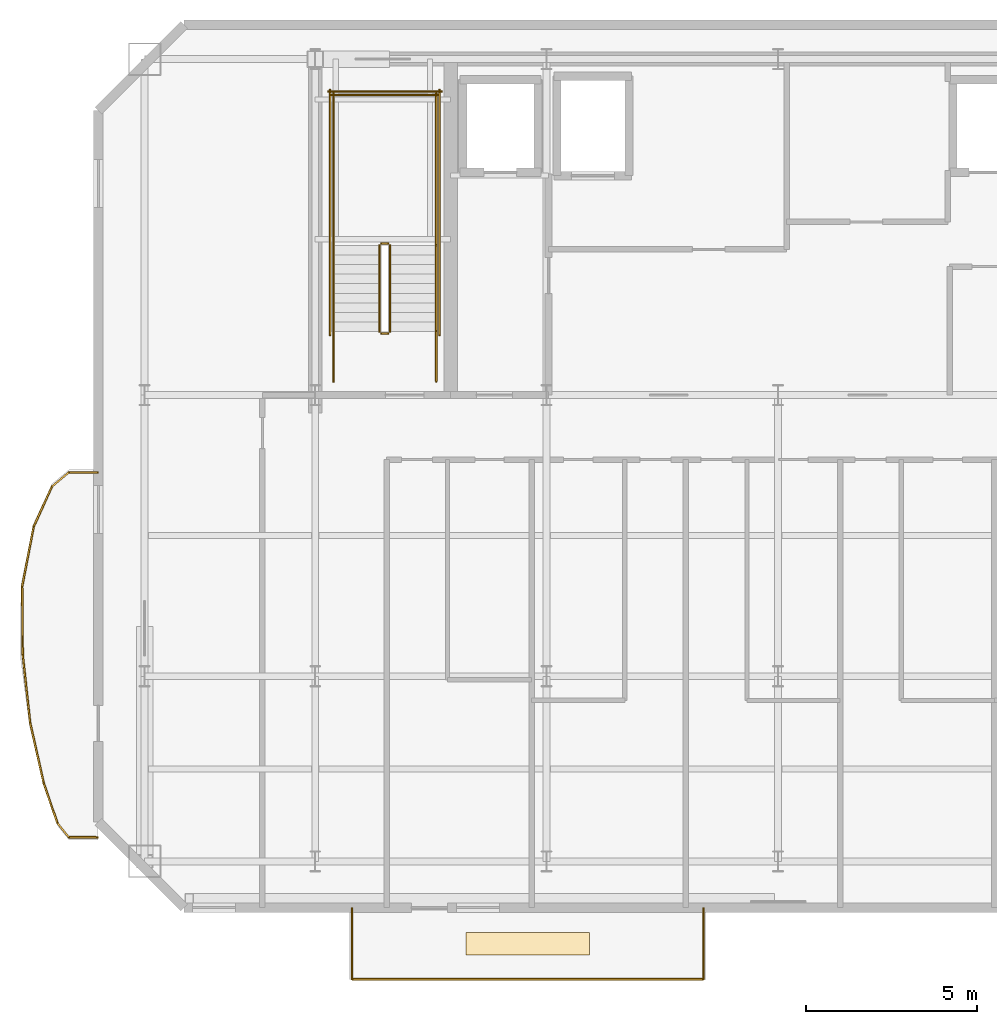
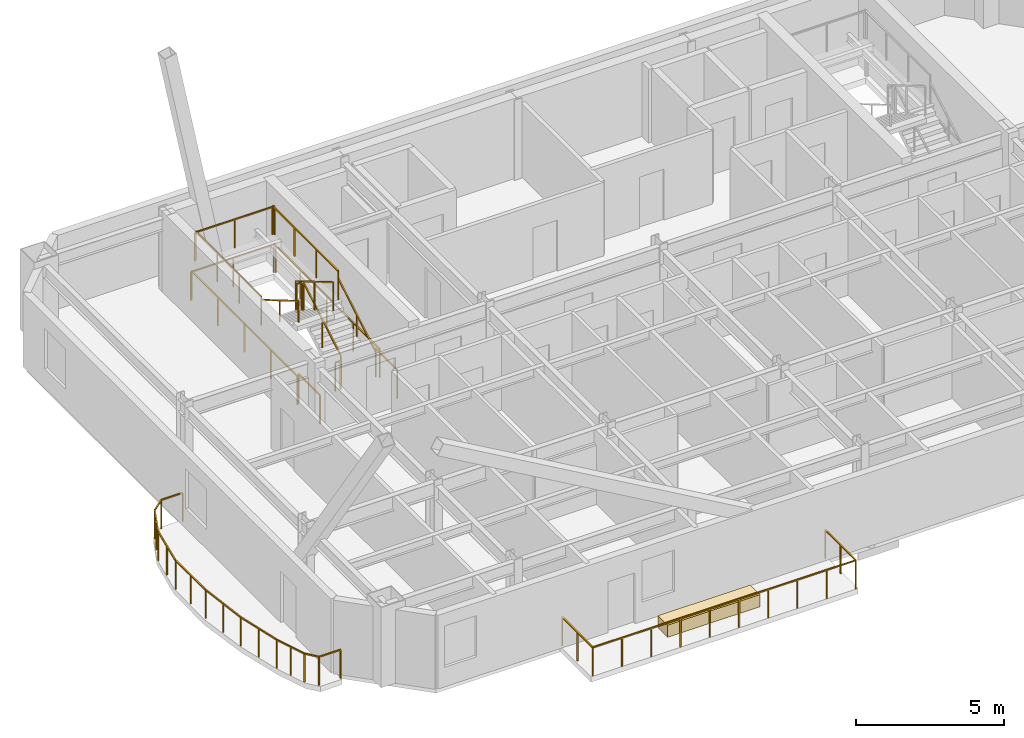
# One storey, part 5 of 6: 27 railings, 1 covering.
"""IFC4 building model written with IfcOpenShell, lengths in metres."""

from ifc_helpers import new_model, si_unit, direction, frame, origin, origin_2d, place, context, subcontext, project, spatial, rectangle, extrude, material, layer, layer_set, type_object, element, save


model = new_model("IFC4")

# Units and contexts
model_context = context("Model", 3, precision=1e-05, world=origin(), true_north=direction((0.0, 1.0)))
body_context = subcontext(model_context, "Body", "Model", "MODEL_VIEW")
ifc_project = project(units=[si_unit("LENGTHUNIT", "METRE"), si_unit("AREAUNIT", "SQUARE_METRE"), si_unit("VOLUMEUNIT", "CUBIC_METRE"), si_unit("PLANEANGLEUNIT", "RADIAN"), si_unit("MASSUNIT", "GRAM", prefix="KILO")], contexts=[model_context])

# Site, building, storey
site_placement = place(None, origin())
site = spatial("IfcSite", under=ifc_project, at=site_placement, CompositionType="ELEMENT")
building_placement = place(site_placement, origin())
building = spatial("IfcBuilding", under=site, at=building_placement, Name="Haevon Station Towers", CompositionType="ELEMENT")
storey_placement = place(building_placement, frame((0.0, 0.0, 249.300048828125)))
storey = spatial("IfcBuildingStorey", under=building, at=storey_placement, Name="L69", CompositionType="ELEMENT", Elevation=249.300048828125)

# Railings
ifc_material_1 = material(Name="Steel S355", Category="steel")
railing_type_1 = type_object("IfcRailingType", Name="GRD-EXT1200", PredefinedType="GUARDRAIL", material=ifc_material_1)
railing_1_placement = place(storey_placement, frame((17.6513671875, 35.947265625, 0.0)))
element("IfcRailing", 1, at=railing_1_placement, inside=storey, type_object=railing_type_1, Name="L69 Perimeter Guardrail 1", PredefinedType="GUARDRAIL", context=body_context, shape_type="SweptSolid", body=[
    extrude(rectangle(XDim=0.048095703125, YDim=0.048095703125, at=origin_2d()), frame((0.0, 0.0, 1.17578125), z_axis=(-0.999997283225, -0.002330995998, 0.0), x_axis=(0.002330995998, -0.999997283225, 0.0)), (0.0, 0.0, 1.0), 0.837890625),
    extrude(rectangle(XDim=0.0419921875, YDim=0.0419921875, at=origin_2d()), origin(), (0.0, 0.0, 1.0), 1.15185546875),
    extrude(rectangle(XDim=0.0419921875, YDim=0.0419921875, at=origin_2d()), frame((-0.837890625, -0.001953125, 0.0)), (0.0, 0.0, 1.0), 1.15185546875),
])
railing_2_placement = place(storey_placement, frame((16.8134765625, 35.9453125, 0.0)))
element("IfcRailing", 2, at=railing_2_placement, inside=storey, type_object=railing_type_1, Name="L69 Perimeter Guardrail 2", PredefinedType="GUARDRAIL", context=body_context, shape_type="SweptSolid", body=[
    extrude(rectangle(XDim=0.048095703125, YDim=0.048095703125, at=origin_2d()), frame((0.0, 0.0, 1.17578125), z_axis=(-0.766342909973, -0.642431742938, 0.0), x_axis=(0.642431742938, -0.766342909973, 0.0)), (0.0, 0.0, 1.0), 0.640380859375),
    extrude(rectangle(XDim=0.0419921875, YDim=0.0419921875, at=origin_2d()), origin(), (0.0, 0.0, 1.0), 1.15185546875),
    extrude(rectangle(XDim=0.0419921875, YDim=0.0419921875, at=origin_2d()), frame((-0.49072265625, -0.411376953125, 0.0)), (0.0, 0.0, 1.0), 1.15185546875),
])
railing_3_placement = place(storey_placement, frame((16.32275390625, 35.533935546875, 0.0)))
element("IfcRailing", 3, at=railing_3_placement, inside=storey, type_object=railing_type_1, Name="L69 Perimeter Guardrail 3", PredefinedType="GUARDRAIL", context=body_context, shape_type="SweptSolid", body=[
    extrude(rectangle(XDim=0.048095703125, YDim=0.048095703125, at=origin_2d()), frame((0.0, 0.0, 1.17578125), z_axis=(-0.41447546993, -0.910060484158, 0.0), x_axis=(0.910060484158, -0.41447546993, 0.0)), (0.0, 0.0, 1.0), 1.28515625),
    extrude(rectangle(XDim=0.0419921875, YDim=0.0419921875, at=origin_2d()), origin(), (0.0, 0.0, 1.0), 1.15185546875),
    extrude(rectangle(XDim=0.0419921875, YDim=0.0419921875, at=origin_2d()), frame((-0.266357421875, -0.5849609375, 0.0)), (0.0, 0.0, 1.0), 1.15185546875),
    extrude(rectangle(XDim=0.0419921875, YDim=0.0419921875, at=origin_2d()), frame((-0.53271484375, -1.169677734375, 0.0)), (0.0, 0.0, 1.0), 1.15185546875),
])
railing_4_placement = place(storey_placement, frame((15.7900390625, 34.3642578125, 0.0)))
element("IfcRailing", 4, at=railing_4_placement, inside=storey, type_object=railing_type_1, Name="L69 Perimeter Guardrail 4", PredefinedType="GUARDRAIL", context=body_context, shape_type="SweptSolid", body=[
    extrude(rectangle(XDim=0.048095703125, YDim=0.048095703125, at=origin_2d()), frame((0.0, 0.0, 1.17578125), z_axis=(-0.189270206795, -0.981925042363, 0.0), x_axis=(0.981925042363, -0.189270206795, 0.0)), (0.0, 0.0, 1.0), 1.777587890625),
    extrude(rectangle(XDim=0.0419921875, YDim=0.0419921875, at=origin_2d()), origin(), (0.0, 0.0, 1.0), 1.15185546875),
    extrude(rectangle(XDim=0.0419921875, YDim=0.0419921875, at=origin_2d()), frame((-0.168212890625, -0.87255859375, 0.0)), (0.0, 0.0, 1.0), 1.15185546875),
    extrude(rectangle(XDim=0.0419921875, YDim=0.0419921875, at=origin_2d()), frame((-0.33642578125, -1.745361328125, 0.0)), (0.0, 0.0, 1.0), 1.15185546875),
])
railing_5_placement = place(storey_placement, frame((15.45361328125, 32.618896484375, 0.0)))
element("IfcRailing", 5, at=railing_5_placement, inside=storey, type_object=railing_type_1, Name="L69 Perimeter Guardrail 5", PredefinedType="GUARDRAIL", context=body_context, shape_type="SweptSolid", body=[
    extrude(rectangle(XDim=0.048095703125, YDim=0.048095703125, at=origin_2d()), frame((0.0, 0.0, 1.17578125), z_axis=(0.008448333236, -0.999964312196, 0.0), x_axis=(0.999964312196, 0.008448333236, 0.0)), (0.0, 0.0, 1.0), 1.993896484375),
    extrude(rectangle(XDim=0.0419921875, YDim=0.0419921875, at=origin_2d()), origin(), (0.0, 0.0, 1.0), 1.15185546875),
    extrude(rectangle(XDim=0.0419921875, YDim=0.0419921875, at=origin_2d()), frame((0.00830078125, -0.9970703125, 0.0)), (0.0, 0.0, 1.0), 1.15185546875),
    extrude(rectangle(XDim=0.0419921875, YDim=0.0419921875, at=origin_2d()), frame((0.016845703125, -1.993896484375, 0.0)), (0.0, 0.0, 1.0), 1.15185546875),
])
railing_6_placement = place(storey_placement, frame((15.470458984375, 30.625, 0.0)))
element("IfcRailing", 6, at=railing_6_placement, inside=storey, type_object=railing_type_1, Name="L69 Perimeter Guardrail 6", PredefinedType="GUARDRAIL", context=body_context, shape_type="SweptSolid", body=[
    extrude(rectangle(XDim=0.048095703125, YDim=0.048095703125, at=origin_2d()), frame((0.0, 0.0, 1.17578125), z_axis=(0.108973140027, -0.994044694545, 0.0), x_axis=(0.994044694545, 0.108973140027, 0.0)), (0.0, 0.0, 1.0), 2.0029296875),
    extrude(rectangle(XDim=0.0419921875, YDim=0.0419921875, at=origin_2d()), origin(), (0.0, 0.0, 1.0), 1.15185546875),
    extrude(rectangle(XDim=0.0419921875, YDim=0.0419921875, at=origin_2d()), frame((0.109130859375, -0.99560546875, 0.0)), (0.0, 0.0, 1.0), 1.15185546875),
    extrude(rectangle(XDim=0.0419921875, YDim=0.0419921875, at=origin_2d()), frame((0.21826171875, -1.990966796875, 0.0)), (0.0, 0.0, 1.0), 1.15185546875),
])
railing_7_placement = place(storey_placement, frame((15.688720703125, 28.634033203125, 0.0)))
element("IfcRailing", 7, at=railing_7_placement, inside=storey, type_object=railing_type_1, Name="L69 Perimeter Guardrail 7", PredefinedType="GUARDRAIL", context=body_context, shape_type="SweptSolid", body=[
    extrude(rectangle(XDim=0.048095703125, YDim=0.048095703125, at=origin_2d()), frame((0.0, 0.0, 1.17578125), z_axis=(0.219570571944, -0.975596619478, 0.0), x_axis=(0.975596619478, 0.219570571944, 0.0)), (0.0, 0.0, 1.0), 1.791259765625),
    extrude(rectangle(XDim=0.0419921875, YDim=0.0419921875, at=origin_2d()), origin(), (0.0, 0.0, 1.0), 1.15185546875),
    extrude(rectangle(XDim=0.0419921875, YDim=0.0419921875, at=origin_2d()), frame((0.19677734375, -0.873779296875, 0.0)), (0.0, 0.0, 1.0), 1.15185546875),
    extrude(rectangle(XDim=0.0419921875, YDim=0.0419921875, at=origin_2d()), frame((0.393310546875, -1.74755859375, 0.0)), (0.0, 0.0, 1.0), 1.15185546875),
])
railing_8_placement = place(storey_placement, frame((16.08203125, 26.886474609375, 0.0)))
element("IfcRailing", 8, at=railing_8_placement, inside=storey, type_object=railing_type_1, Name="L69 Perimeter Guardrail 8", PredefinedType="GUARDRAIL", context=body_context, shape_type="SweptSolid", body=[
    extrude(rectangle(XDim=0.048095703125, YDim=0.048095703125, at=origin_2d()), frame((0.0, 0.0, 1.17578125), z_axis=(0.324031686844, -0.946046228216, 0.0), x_axis=(0.946046228216, 0.324031686844, 0.0)), (0.0, 0.0, 1.0), 1.237060546875),
    extrude(rectangle(XDim=0.0419921875, YDim=0.0419921875, at=origin_2d()), origin(), (0.0, 0.0, 1.0), 1.15185546875),
    extrude(rectangle(XDim=0.0419921875, YDim=0.0419921875, at=origin_2d()), frame((0.200439453125, -0.585205078125, 0.0)), (0.0, 0.0, 1.0), 1.15185546875),
    extrude(rectangle(XDim=0.0419921875, YDim=0.0419921875, at=origin_2d()), frame((0.40087890625, -1.17041015625, 0.0)), (0.0, 0.0, 1.0), 1.15185546875),
])
railing_9_placement = place(storey_placement, frame((16.48291015625, 25.716064453125, 0.0)))
element("IfcRailing", 9, at=railing_9_placement, inside=storey, type_object=railing_type_1, Name="L69 Perimeter Guardrail 9", PredefinedType="GUARDRAIL", context=body_context, shape_type="SweptSolid", body=[
    extrude(rectangle(XDim=0.048095703125, YDim=0.048095703125, at=origin_2d()), frame((0.0, 0.0, 1.17578125), z_axis=(0.626386088605, -0.779512968463, 0.0), x_axis=(0.779512968463, 0.626386088605, 0.0)), (0.0, 0.0, 1.0), 0.52783203125),
    extrude(rectangle(XDim=0.0419921875, YDim=0.0419921875, at=origin_2d()), origin(), (0.0, 0.0, 1.0), 1.15185546875),
    extrude(rectangle(XDim=0.0419921875, YDim=0.0419921875, at=origin_2d()), frame((0.33056640625, -0.411376953125, 0.0)), (0.0, 0.0, 1.0), 1.15185546875),
])
railing_10_placement = place(storey_placement, frame((16.8134765625, 25.3046875, 0.0)))
element("IfcRailing", 10, at=railing_10_placement, inside=storey, type_object=railing_type_1, Name="L69 Perimeter Guardrail 10", PredefinedType="GUARDRAIL", context=body_context, shape_type="SweptSolid", body=[
    extrude(rectangle(XDim=0.048095703125, YDim=0.048095703125, at=origin_2d()), frame((0.0, 0.0, 1.17578125), z_axis=(0.999997283225, -0.002330995998, 0.0), x_axis=(0.002330995998, 0.999997283225, 0.0)), (0.0, 0.0, 1.0), 0.837890625),
    extrude(rectangle(XDim=0.0419921875, YDim=0.0419921875, at=origin_2d()), origin(), (0.0, 0.0, 1.0), 1.15185546875),
    extrude(rectangle(XDim=0.0419921875, YDim=0.0419921875, at=origin_2d()), frame((0.837890625, -0.001953125, 0.0)), (0.0, 0.0, 1.0), 1.15185546875),
])
railing_11_placement = place(storey_placement, frame((25.078369140625, 21.165771484375, 0.0)))
element("IfcRailing", 11, at=railing_11_placement, inside=storey, type_object=railing_type_1, Name="L69 Perimeter Guardrail 1", PredefinedType="GUARDRAIL", context=body_context, shape_type="SweptSolid", body=[
    extrude(rectangle(XDim=0.048095703125, YDim=0.048095703125, at=origin_2d()), frame((0.0, 0.0, 1.17578125), z_axis=(1.0, 0.0, 0.0), x_axis=(0.0, 1.0, 0.0)), (0.0, 0.0, 1.0), 10.2431640625),
    extrude(rectangle(XDim=0.0419921875, YDim=0.0419921875, at=origin_2d()), origin(), (0.0, 0.0, 1.0), 1.15185546875),
    extrude(rectangle(XDim=0.0419921875, YDim=0.0419921875, at=origin_2d()), frame((1.13818359375, 0.0, 0.0)), (0.0, 0.0, 1.0), 1.15185546875),
    extrude(rectangle(XDim=0.0419921875, YDim=0.0419921875, at=origin_2d()), frame((2.2763671875, 0.0, 0.0)), (0.0, 0.0, 1.0), 1.15185546875),
    extrude(rectangle(XDim=0.0419921875, YDim=0.0419921875, at=origin_2d()), frame((3.414306640625, 0.0, 0.0)), (0.0, 0.0, 1.0), 1.15185546875),
    extrude(rectangle(XDim=0.0419921875, YDim=0.0419921875, at=origin_2d()), frame((4.552490234375, 0.0, 0.0)), (0.0, 0.0, 1.0), 1.15185546875),
    extrude(rectangle(XDim=0.0419921875, YDim=0.0419921875, at=origin_2d()), frame((5.690673828125, 0.0, 0.0)), (0.0, 0.0, 1.0), 1.15185546875),
    extrude(rectangle(XDim=0.0419921875, YDim=0.0419921875, at=origin_2d()), frame((6.828857421875, 0.0, 0.0)), (0.0, 0.0, 1.0), 1.15185546875),
    extrude(rectangle(XDim=0.0419921875, YDim=0.0419921875, at=origin_2d()), frame((7.966796875, 0.0, 0.0)), (0.0, 0.0, 1.0), 1.15185546875),
    extrude(rectangle(XDim=0.0419921875, YDim=0.0419921875, at=origin_2d()), frame((9.10498046875, 0.0, 0.0)), (0.0, 0.0, 1.0), 1.15185546875),
    extrude(rectangle(XDim=0.0419921875, YDim=0.0419921875, at=origin_2d()), frame((10.2431640625, 0.0, 0.0)), (0.0, 0.0, 1.0), 1.15185546875),
])
railing_12_placement = place(storey_placement, frame((35.321533203125, 21.165771484375, 0.0)))
element("IfcRailing", 12, at=railing_12_placement, inside=storey, type_object=railing_type_1, Name="L69 Perimeter Guardrail 2", PredefinedType="GUARDRAIL", context=body_context, shape_type="SweptSolid", body=[
    extrude(rectangle(XDim=0.048095703125, YDim=0.048095703125, at=origin_2d()), frame((0.0, 0.0, 1.17578125), z_axis=(0.0, 1.0, 0.0), x_axis=(-1.0, 0.0, 0.0)), (0.0, 0.0, 1.0), 2.0634765625),
    extrude(rectangle(XDim=0.0419921875, YDim=0.0419921875, at=origin_2d()), origin(), (0.0, 0.0, 1.0), 1.15185546875),
    extrude(rectangle(XDim=0.0419921875, YDim=0.0419921875, at=origin_2d()), frame((0.0, 1.03173828125, 0.0)), (0.0, 0.0, 1.0), 1.15185546875),
    extrude(rectangle(XDim=0.0419921875, YDim=0.0419921875, at=origin_2d()), frame((0.0, 2.0634765625, 0.0)), (0.0, 0.0, 1.0), 1.15185546875),
])
railing_13_placement = place(storey_placement, frame((25.078369140625, 23.229248046875, 0.0)))
element("IfcRailing", 13, at=railing_13_placement, inside=storey, type_object=railing_type_1, Name="L69 Perimeter Guardrail 3", PredefinedType="GUARDRAIL", context=body_context, shape_type="SweptSolid", body=[
    extrude(rectangle(XDim=0.048095703125, YDim=0.048095703125, at=origin_2d()), frame((0.0, 0.0, 1.17578125), z_axis=(0.0, -1.0, 0.0), x_axis=(1.0, 0.0, 0.0)), (0.0, 0.0, 1.0), 2.0634765625),
    extrude(rectangle(XDim=0.0419921875, YDim=0.0419921875, at=origin_2d()), origin(), (0.0, 0.0, 1.0), 1.15185546875),
    extrude(rectangle(XDim=0.0419921875, YDim=0.0419921875, at=origin_2d()), frame((0.0, -1.03173828125, 0.0)), (0.0, 0.0, 1.0), 1.15185546875),
    extrude(rectangle(XDim=0.0419921875, YDim=0.0419921875, at=origin_2d()), frame((0.0, -2.0634765625, 0.0)), (0.0, 0.0, 1.0), 1.15185546875),
])
railing_type_2 = type_object("IfcRailingType", Name="GRD-STR1200", PredefinedType="GUARDRAIL", material=ifc_material_1)
railing_14_placement = place(storey_placement, frame((26.179931640625, 40.050048828125, 0.1650390625)))
element("IfcRailing", 14, at=railing_14_placement, inside=storey, type_object=railing_type_2, Name="L69 ST1 Stair Guard 1", PredefinedType="GUARDRAIL", context=body_context, shape_type="SweptSolid", body=[
    extrude(rectangle(XDim=0.048095703125, YDim=0.048095703125, at=origin_2d()), frame((0.0, 0.0, 1.17578125), z_axis=(0.0, 0.861560626758, 0.507654692109), x_axis=(-1.0, 0.0, 0.0)), (0.0, 0.0, 1.0), 2.925048828125),
    extrude(rectangle(XDim=0.0419921875, YDim=0.0419921875, at=origin_2d()), origin(), (0.0, 0.0, 1.0), 1.15185546875),
    extrude(rectangle(XDim=0.0419921875, YDim=0.0419921875, at=origin_2d()), frame((0.0, 1.260009765625, 0.742431640625)), (0.0, 0.0, 1.0), 1.15185546875),
    extrude(rectangle(XDim=0.0419921875, YDim=0.0419921875, at=origin_2d()), frame((0.0, 2.52001953125, 1.48486328125)), (0.0, 0.0, 1.0), 1.15185546875),
])
railing_15_placement = place(storey_placement, frame((26.1298828125, 42.6201171875, 1.64990234375)))
element("IfcRailing", 15, at=railing_15_placement, inside=storey, type_object=railing_type_2, Name="L69 ST1 Stair Guard 2", PredefinedType="GUARDRAIL", context=body_context, shape_type="SweptSolid", body=[
    extrude(rectangle(XDim=0.048095703125, YDim=0.048095703125, at=origin_2d()), frame((0.0, 0.0, 1.17578125), z_axis=(-1.0, 0.0, 0.0), x_axis=(0.0, -1.0, 0.0)), (0.0, 0.0, 1.0), 0.199951171875),
    extrude(rectangle(XDim=0.0419921875, YDim=0.0419921875, at=origin_2d()), origin(), (0.0, 0.0, 1.0), 1.15185546875),
    extrude(rectangle(XDim=0.0419921875, YDim=0.0419921875, at=origin_2d()), frame((-0.199951171875, 0.0, 0.0)), (0.0, 0.0, 1.0), 1.15185546875),
])
for number, where, name in (
    (16, (27.530029296875, 42.570068359375, 1.64990234375), "L69 ST1 Stair Guard 3"),
    (17, (24.530029296875, 42.570068359375, 1.64990234375), "L69 ST1 Stair Guard 4"),
):
    element("IfcRailing", number, at=place(storey_placement, frame(where)), inside=storey, type_object=railing_type_2, Name=name, PredefinedType="GUARDRAIL", context=body_context, shape_type="SweptSolid", body=[
        extrude(rectangle(XDim=0.048095703125, YDim=0.048095703125, at=origin_2d()), frame((0.0, 0.0, 1.17578125), z_axis=(0.0, 1.0, 0.0), x_axis=(-1.0, 0.0, 0.0)), (0.0, 0.0, 1.0), 4.429931640625),
        extrude(rectangle(XDim=0.0419921875, YDim=0.0419921875, at=origin_2d()), origin(), (0.0, 0.0, 1.0), 1.15185546875),
        extrude(rectangle(XDim=0.0419921875, YDim=0.0419921875, at=origin_2d()), frame((0.0, 1.4765625, 0.0)), (0.0, 0.0, 1.0), 1.15185546875),
        extrude(rectangle(XDim=0.0419921875, YDim=0.0419921875, at=origin_2d()), frame((0.0, 2.953369140625, 0.0)), (0.0, 0.0, 1.0), 1.15185546875),
        extrude(rectangle(XDim=0.0419921875, YDim=0.0419921875, at=origin_2d()), frame((0.0, 4.429931640625, 0.0)), (0.0, 0.0, 1.0), 1.15185546875),
    ])
railing_16_placement = place(storey_placement, frame((27.580078125, 46.949951171875, 1.64990234375)))
element("IfcRailing", 18, at=railing_16_placement, inside=storey, type_object=railing_type_2, Name="L69 ST1 Stair Guard 5", PredefinedType="GUARDRAIL", context=body_context, shape_type="SweptSolid", body=[
    extrude(rectangle(XDim=0.048095703125, YDim=0.048095703125, at=origin_2d()), frame((0.0, 0.0, 1.17578125), z_axis=(-1.0, 0.0, 0.0), x_axis=(0.0, -1.0, 0.0)), (0.0, 0.0, 1.0), 3.10009765625),
    extrude(rectangle(XDim=0.0419921875, YDim=0.0419921875, at=origin_2d()), origin(), (0.0, 0.0, 1.0), 1.15185546875),
    extrude(rectangle(XDim=0.0419921875, YDim=0.0419921875, at=origin_2d()), frame((-1.550048828125, 0.0, 0.0)), (0.0, 0.0, 1.0), 1.15185546875),
    extrude(rectangle(XDim=0.0419921875, YDim=0.0419921875, at=origin_2d()), frame((-3.10009765625, 0.0, 0.0)), (0.0, 0.0, 1.0), 1.15185546875),
])
railing_17_placement = place(storey_placement, frame((25.8798828125, 42.570068359375, 1.81494140625)))
element("IfcRailing", 19, at=railing_17_placement, inside=storey, type_object=railing_type_2, Name="L69 ST1 Stair Guard 6", PredefinedType="GUARDRAIL", context=body_context, shape_type="SweptSolid", body=[
    extrude(rectangle(XDim=0.048095703125, YDim=0.048095703125, at=origin_2d()), frame((0.0, 0.0, 1.17578125), z_axis=(0.0, -0.86152411907, 0.507716645641), x_axis=(1.0, 0.0, 0.0)), (0.0, 0.0, 1.0), 2.925048828125),
    extrude(rectangle(XDim=0.0419921875, YDim=0.0419921875, at=origin_2d()), origin(), (0.0, 0.0, 1.0), 1.15185546875),
    extrude(rectangle(XDim=0.0419921875, YDim=0.0419921875, at=origin_2d()), frame((0.0, -1.260009765625, 0.74267578125)), (0.0, 0.0, 1.0), 1.15185546875),
    extrude(rectangle(XDim=0.0419921875, YDim=0.0419921875, at=origin_2d()), frame((0.0, -2.52001953125, 1.485107421875)), (0.0, 0.0, 1.0), 1.15185546875),
])
railing_18_placement = place(storey_placement, frame((26.1298828125, 40.0, 0.0)))
element("IfcRailing", 20, at=railing_18_placement, inside=storey, type_object=railing_type_2, Name="L69 ST1 Stair Guard 7", PredefinedType="GUARDRAIL", context=body_context, shape_type="SweptSolid", body=[
    extrude(rectangle(XDim=0.048095703125, YDim=0.048095703125, at=origin_2d()), frame((0.0, 0.0, 1.17578125), z_axis=(-1.0, 0.0, 0.0), x_axis=(0.0, -1.0, 0.0)), (0.0, 0.0, 1.0), 0.199951171875),
    extrude(rectangle(XDim=0.0419921875, YDim=0.0419921875, at=origin_2d()), origin(), (0.0, 0.0, 1.0), 1.15185546875),
    extrude(rectangle(XDim=0.0419921875, YDim=0.0419921875, at=origin_2d()), frame((-0.199951171875, 0.0, 0.0)), (0.0, 0.0, 1.0), 1.15185546875),
])
for number, where, name in (
    (21, (27.530029296875, 38.60009765625, 0.0), "L69 ST1 Stair Guard 8"),
    (22, (24.530029296875, 38.60009765625, 0.0), "L69 ST1 Stair Guard 9"),
):
    element("IfcRailing", number, at=place(storey_placement, frame(where)), inside=storey, type_object=railing_type_2, Name=name, PredefinedType="GUARDRAIL", context=body_context, shape_type="SweptSolid", body=[
        extrude(rectangle(XDim=0.048095703125, YDim=0.048095703125, at=origin_2d()), frame((0.0, 0.0, 1.17578125), z_axis=(0.0, 1.0, 0.0), x_axis=(-1.0, 0.0, 0.0)), (0.0, 0.0, 1.0), 1.449951171875),
        extrude(rectangle(XDim=0.0419921875, YDim=0.0419921875, at=origin_2d()), origin(), (0.0, 0.0, 1.0), 1.15185546875),
        extrude(rectangle(XDim=0.0419921875, YDim=0.0419921875, at=origin_2d()), frame((0.0, 1.449951171875, 0.0)), (0.0, 0.0, 1.0), 1.15185546875),
    ])
for number, where, name in (
    (23, (27.6298828125, 39.949951171875, 0.0), "L69 ST1 Stair Guard 10"),
    (24, (24.429931640625, 39.949951171875, 0.0), "L69 ST1 Stair Guard 11"),
):
    element("IfcRailing", number, at=place(storey_placement, frame(where)), inside=storey, type_object=railing_type_2, Name=name, PredefinedType="GUARDRAIL", context=body_context, shape_type="SweptSolid", body=[
        extrude(rectangle(XDim=0.048095703125, YDim=0.048095703125, at=origin_2d()), frame((0.0, 0.0, 1.17578125), z_axis=(0.0, 1.0, 0.0), x_axis=(-1.0, 0.0, 0.0)), (0.0, 0.0, 1.0), 7.150146484375),
        extrude(rectangle(XDim=0.0419921875, YDim=0.0419921875, at=origin_2d()), origin(), (0.0, 0.0, 1.0), 1.15185546875),
        extrude(rectangle(XDim=0.0419921875, YDim=0.0419921875, at=origin_2d()), frame((0.0, 1.78759765625, 0.0)), (0.0, 0.0, 1.0), 1.15185546875),
        extrude(rectangle(XDim=0.0419921875, YDim=0.0419921875, at=origin_2d()), frame((0.0, 3.5751953125, 0.0)), (0.0, 0.0, 1.0), 1.15185546875),
        extrude(rectangle(XDim=0.0419921875, YDim=0.0419921875, at=origin_2d()), frame((0.0, 5.362548828125, 0.0)), (0.0, 0.0, 1.0), 1.15185546875),
        extrude(rectangle(XDim=0.0419921875, YDim=0.0419921875, at=origin_2d()), frame((0.0, 7.150146484375, 0.0)), (0.0, 0.0, 1.0), 1.15185546875),
    ])
railing_19_placement = place(storey_placement, frame((27.679931640625, 47.050048828125, 0.0)))
element("IfcRailing", 25, at=railing_19_placement, inside=storey, type_object=railing_type_2, Name="L69 ST1 Stair Guard 12", PredefinedType="GUARDRAIL", context=body_context, shape_type="SweptSolid", body=[
    extrude(rectangle(XDim=0.048095703125, YDim=0.048095703125, at=origin_2d()), frame((0.0, 0.0, 1.17578125), z_axis=(-1.0, 0.0, 0.0), x_axis=(0.0, -1.0, 0.0)), (0.0, 0.0, 1.0), 3.300048828125),
    extrude(rectangle(XDim=0.0419921875, YDim=0.0419921875, at=origin_2d()), origin(), (0.0, 0.0, 1.0), 1.15185546875),
    extrude(rectangle(XDim=0.0419921875, YDim=0.0419921875, at=origin_2d()), frame((-1.64990234375, 0.0, 0.0)), (0.0, 0.0, 1.0), 1.15185546875),
    extrude(rectangle(XDim=0.0419921875, YDim=0.0419921875, at=origin_2d()), frame((-3.300048828125, 0.0, 0.0)), (0.0, 0.0, 1.0), 1.15185546875),
])
railing_type_3 = type_object("IfcRailingType", Name="HND-STR900", PredefinedType="HANDRAIL", material=ifc_material_1)
railing_20_placement = place(storey_placement, frame((27.530029296875, 40.050048828125, 0.1650390625)))
element("IfcRailing", 26, at=railing_20_placement, inside=storey, type_object=railing_type_3, Name="L69 ST1 Stair Handrail 1", PredefinedType="HANDRAIL", context=body_context, shape_type="SweptSolid", body=[
    extrude(rectangle(XDim=0.048095703125, YDim=0.048095703125, at=origin_2d()), frame((0.0, 0.0, 0.8759765625), z_axis=(0.0, 0.861560626758, 0.507654692109), x_axis=(-1.0, 0.0, 0.0)), (0.0, 0.0, 1.0), 2.925048828125),
    extrude(rectangle(XDim=0.0419921875, YDim=0.0419921875, at=origin_2d()), origin(), (0.0, 0.0, 1.0), 0.851806640625),
    extrude(rectangle(XDim=0.0419921875, YDim=0.0419921875, at=origin_2d()), frame((0.0, 1.260009765625, 0.742431640625)), (0.0, 0.0, 1.0), 0.851806640625),
    extrude(rectangle(XDim=0.0419921875, YDim=0.0419921875, at=origin_2d()), frame((0.0, 2.52001953125, 1.48486328125)), (0.0, 0.0, 1.0), 0.851806640625),
])
railing_21_placement = place(storey_placement, frame((24.530029296875, 42.570068359375, 1.81494140625)))
element("IfcRailing", 27, at=railing_21_placement, inside=storey, type_object=railing_type_3, Name="L69 ST1 Stair Handrail 2", PredefinedType="HANDRAIL", context=body_context, shape_type="SweptSolid", body=[
    extrude(rectangle(XDim=0.048095703125, YDim=0.048095703125, at=origin_2d()), frame((0.0, 0.0, 0.8759765625), z_axis=(0.0, -0.86152411907, 0.507716645641), x_axis=(1.0, 0.0, 0.0)), (0.0, 0.0, 1.0), 2.925048828125),
    extrude(rectangle(XDim=0.0419921875, YDim=0.0419921875, at=origin_2d()), origin(), (0.0, 0.0, 1.0), 0.851806640625),
    extrude(rectangle(XDim=0.0419921875, YDim=0.0419921875, at=origin_2d()), frame((0.0, -1.260009765625, 0.74267578125)), (0.0, 0.0, 1.0), 0.851806640625),
    extrude(rectangle(XDim=0.0419921875, YDim=0.0419921875, at=origin_2d()), frame((0.0, -2.52001953125, 1.485107421875)), (0.0, 0.0, 1.0), 0.851806640625),
])

# Covering
ifc_material_2 = material(Name="Architectural planter GRC", Category="concrete")
ifc_layer = layer(ifc_material_2, 0.550048828125)
ifc_layer_set = layer_set([ifc_layer], Name="Architectural planter GRC")
covering_type = type_object("IfcCoveringType", Name="PLN-GRC550", PredefinedType="MOLDING", material=ifc_layer_set)
covering_placement = place(storey_placement, frame((30.199951171875, 22.197509765625, 0.0), z_axis=(0.0, 0.0, 1.0), x_axis=(1.0, 0.0, 0.0)))
element("IfcCovering", 28, at=covering_placement, inside=storey, type_object=covering_type, Name="Tower 1 L69 Facade Trough PLANTER", PredefinedType="MOLDING", context=body_context, shape_type="SweptSolid", body=[
    extrude(rectangle(XDim=3.60009765625, YDim=0.64990234375, at=origin_2d()), origin(), (0.0, 0.0, 1.0), 0.5),
])

save(model, "model.ifc")
